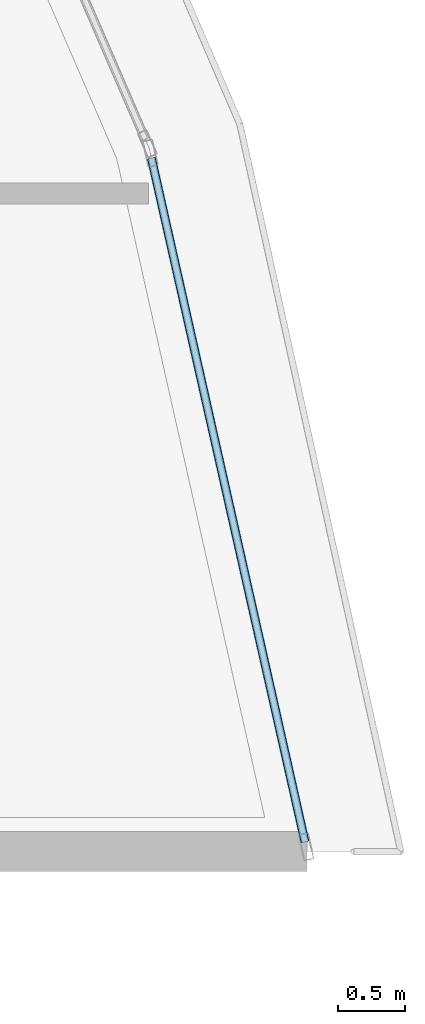
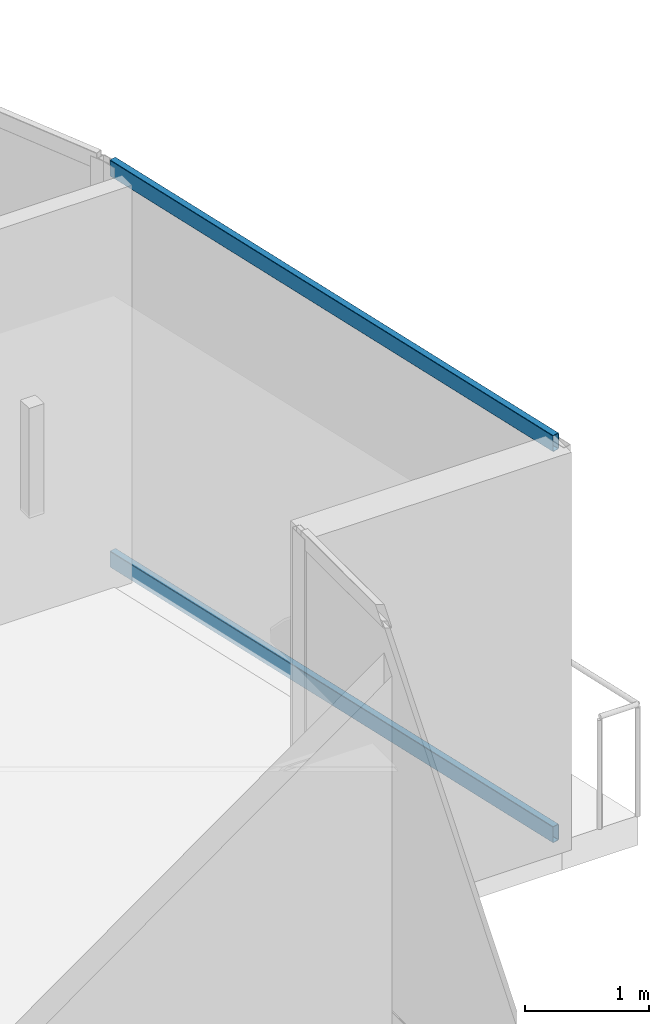
# One storey, part 11 of 29: 2 members, 1 element without a shape of its own.
"""IFC4 building model written with IfcOpenShell, lengths in metres."""

from ifc_helpers import new_model, si_unit, direction, frame, origin, origin_2d, place, context, subcontext, project, spatial, hollow_rectangle, extrude, material, layer, layer_set, material_profile, profile_set, type_object, element, aggregate, save


model = new_model("IFC4")

# Units and contexts
model_context = context("Model", 3, precision=1e-05, world=origin(), true_north=direction((0.0, 1.0)))
body_context = subcontext(model_context, "Body", "Model", "MODEL_VIEW")
ifc_project = project(units=[si_unit("LENGTHUNIT", "METRE"), si_unit("AREAUNIT", "SQUARE_METRE"), si_unit("VOLUMEUNIT", "CUBIC_METRE"), si_unit("PLANEANGLEUNIT", "RADIAN"), si_unit("MASSUNIT", "GRAM", prefix="KILO")], contexts=[model_context])

# Site, building, storey
site_placement = place(None, origin())
site = spatial("IfcSite", under=ifc_project, at=site_placement, CompositionType="ELEMENT")
building_placement = place(site_placement, origin())
building = spatial("IfcBuilding", under=site, at=building_placement, Name="Qorvath Tower", CompositionType="ELEMENT")
storey_placement = place(building_placement, frame((0.0, 0.0, 285.0)))
storey = spatial("IfcBuildingStorey", under=building, at=storey_placement, Name="L66", CompositionType="ELEMENT", Elevation=285.0)

# Curtain wall, members
ifc_material_1 = material(Name="Anodised aluminium and triple low-E glass", Category="aluminium")
ifc_layer = layer(ifc_material_1, 0.179931640625)
ifc_layer_set = layer_set([ifc_layer], Name="CW-SYS-4")
curtain_wall_type = type_object("IfcCurtainWallType", Name="CW-SYS-4", PredefinedType="NOTDEFINED", material=ifc_layer_set)
curtain_wall_placement = place(storey_placement, origin())
curtain_wall = element("IfcCurtainWall", 1, at=curtain_wall_placement, inside=storey, type_object=curtain_wall_type, Name="Curtain Wall CW-4 CW-T-L66-11.1", PredefinedType="NOTDEFINED")
ifc_material_2 = material(Name="Anodised aluminium 6063-T6", Category="aluminium")
ifc_material_profile = material_profile(ifc_material_2, hollow_rectangle(XDim=0.06494140625, YDim=0.159912109375, WallThickness=0.00341796875, InnerFilletRadius=0.00341796875, OuterFilletRadius=0.007080078125, at=origin_2d()), Name="CWT 160x65")
ifc_profile_set = profile_set([ifc_material_profile], Name="Anodised aluminium 6063-T6")
member_type = type_object("IfcMemberType", Name="CWT-160", PredefinedType="USERDEFINED", material=ifc_profile_set)
member_1_placement = place(storey_placement, frame((-2.131103515625, 3.72900390625, 0.032470703125), z_axis=(-0.219193300083, 0.975681452729, 0.0), x_axis=(-0.975681452729, -0.219193300083, 0.0)))
member_1 = element("IfcMember", 2, at=member_1_placement, type_object=member_type, Name="CW-4 transom 1.1", ObjectType="TRANSOM", PredefinedType="USERDEFINED", context=body_context, shape_type="SweptSolid", body=[
    extrude(hollow_rectangle(XDim=0.06494140625, YDim=0.159912109375, WallThickness=0.00341796875, InnerFilletRadius=0.00341796875, OuterFilletRadius=0.007080078125, at=origin_2d()), origin(), (0.0, 0.0, 1.0), 5.264892578125),
])
member_2_placement = place(storey_placement, frame((-2.131103515625, 3.72900390625, 3.87744140625), z_axis=(-0.219193300083, 0.975681452729, 0.0), x_axis=(-0.975681452729, -0.219193300083, 0.0)))
member_2 = element("IfcMember", 3, at=member_2_placement, type_object=member_type, Name="CW-4 transom 1.2", ObjectType="TRANSOM", PredefinedType="USERDEFINED", context=body_context, shape_type="SweptSolid", body=[
    extrude(hollow_rectangle(XDim=0.06494140625, YDim=0.159912109375, WallThickness=0.00341796875, InnerFilletRadius=0.00341796875, OuterFilletRadius=0.007080078125, at=origin_2d()), origin(), (0.0, 0.0, 1.0), 5.264892578125),
])
aggregate(curtain_wall, [member_1, member_2])

save(model, "model.ifc")
